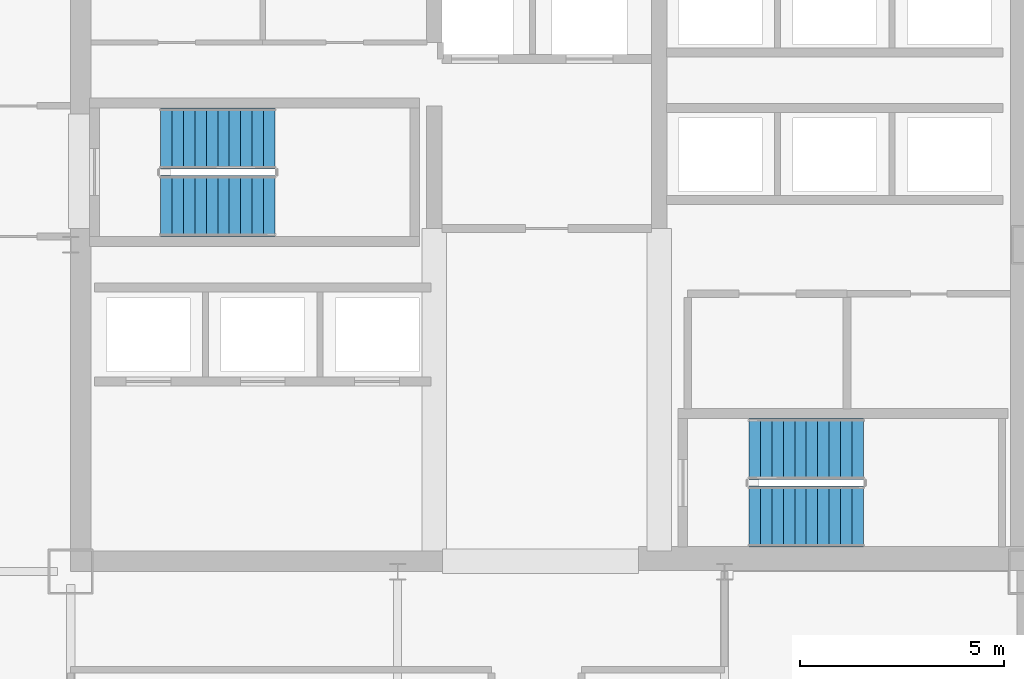
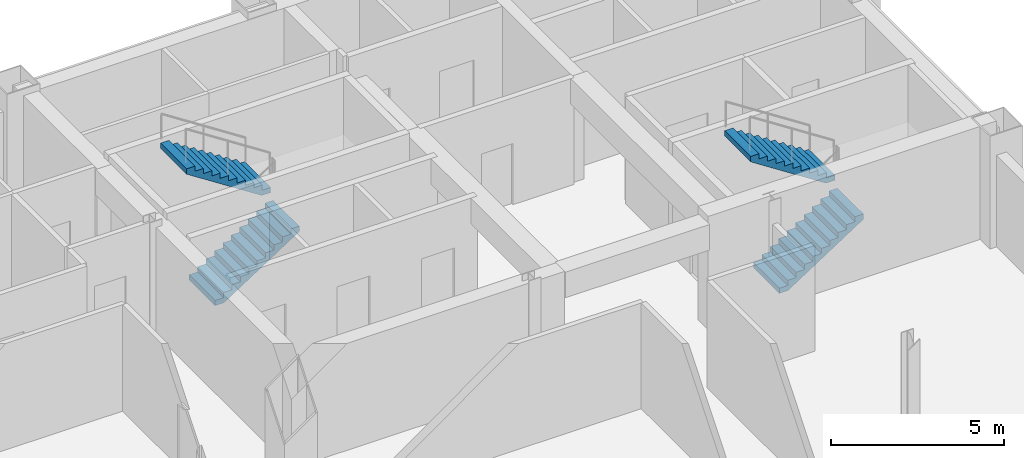
# One storey, part 8 of 10: 4 stair flights, 2 elements without a shape of their own.
"""IFC4 building model written with IfcOpenShell, lengths in metres."""

from ifc_helpers import new_model, si_unit, direction, frame, origin, place, context, subcontext, project, spatial, polyline, outline, extrude, material, type_object, element, aggregate, save


model = new_model("IFC4")

# Units and contexts
model_context = context("Model", 3, precision=1e-05, world=origin(), true_north=direction((0.0, 1.0)))
body_context = subcontext(model_context, "Body", "Model", "MODEL_VIEW")
ifc_project = project(units=[si_unit("LENGTHUNIT", "METRE"), si_unit("AREAUNIT", "SQUARE_METRE"), si_unit("VOLUMEUNIT", "CUBIC_METRE"), si_unit("PLANEANGLEUNIT", "RADIAN"), si_unit("MASSUNIT", "GRAM", prefix="KILO")], contexts=[model_context])

# Site, building, storey
site_placement = place(None, origin())
site = spatial("IfcSite", under=ifc_project, at=site_placement, CompositionType="ELEMENT")
building_placement = place(site_placement, origin())
building = spatial("IfcBuilding", under=site, at=building_placement, Name="Qianrong Seaharbour Tower", CompositionType="ELEMENT")
storey_placement = place(building_placement, frame((0.0, 0.0, 135.0)))
storey = spatial("IfcBuildingStorey", under=building, at=storey_placement, Name="L32", CompositionType="ELEMENT", Elevation=135.0)

# Stair, stair flights
ifc_material = material(Name="Concrete C50/60", Category="concrete")
stair_type = type_object("IfcStairType", Name="STAIR-DOGLEG-1500-R22", PredefinedType="HALF_TURN_STAIR", material=ifc_material)
stair_1_placement = place(storey_placement, origin())
stair_1 = element("IfcStair", 1, at=stair_1_placement, inside=storey, type_object=stair_type, Name="L32 Protected Escape Stair ST-1", PredefinedType="HALF_TURN_STAIR")
stair_flight_type = type_object("IfcStairFlightType", Name="FLIGHT-STR-1500-R22", PredefinedType="STRAIGHT", material=ifc_material)
stair_flight_1_placement = place(storey_placement, frame((42.699951171875, 44.949951171875, 0.0), z_axis=(0.0, 0.0, 1.0), x_axis=(1.0, 0.0, 0.0)))
stair_flight_1 = element("IfcStairFlight", 2, at=stair_flight_1_placement, type_object=stair_flight_type, Name="ST-1 flight 1", NumberOfRisers=11, NumberOfTreads=10, PredefinedType="STRAIGHT", RiserHeight=0.181818182, TreadLength=0.28, context=body_context, shape_type="SweptSolid", body=[
    extrude(outline(polyline([(0.0, 0.0), (0.0, 0.181884765625), (0.280029296875, 0.181884765625), (0.280029296875, 0.363525390625), (0.56005859375, 0.363525390625), (0.56005859375, 0.54541015625), (0.840087890625, 0.54541015625), (0.840087890625, 0.727294921875), (1.1201171875, 0.727294921875), (1.1201171875, 0.9091796875), (1.39990234375, 0.9091796875), (1.39990234375, 1.0908203125), (1.679931640625, 1.0908203125), (1.679931640625, 1.272705078125), (1.9599609375, 1.272705078125), (1.9599609375, 1.45458984375), (2.239990234375, 1.45458984375), (2.239990234375, 1.636474609375), (2.52001953125, 1.636474609375), (2.52001953125, 1.818115234375), (2.800048828125, 1.818115234375), (2.800048828125, 2.0), (2.800048828125, 1.62744140625), (0.293701171875, 0.0), (0.0, 0.0)])), frame((0.0, 0.75, 0.0), z_axis=(0.0, -1.0, 0.0), x_axis=(1.0, 0.0, 0.0)), (0.0, 0.0, 1.0), 1.5),
])
stair_flight_2_placement = place(storey_placement, frame((45.5, 46.60009765625, 2.0), z_axis=(0.0, 0.0, 1.0), x_axis=(-1.0, 0.0, 0.0)))
stair_flight_2 = element("IfcStairFlight", 3, at=stair_flight_2_placement, type_object=stair_flight_type, Name="ST-1 flight 2", NumberOfRisers=11, NumberOfTreads=10, PredefinedType="STRAIGHT", RiserHeight=0.181818182, TreadLength=0.28, context=body_context, shape_type="SweptSolid", body=[
    extrude(outline(polyline([(0.0, 0.0), (0.0, 0.181884765625), (0.280029296875, 0.181884765625), (0.280029296875, 0.363525390625), (0.56005859375, 0.363525390625), (0.56005859375, 0.54541015625), (0.840087890625, 0.54541015625), (0.840087890625, 0.727294921875), (1.1201171875, 0.727294921875), (1.1201171875, 0.9091796875), (1.39990234375, 0.9091796875), (1.39990234375, 1.0908203125), (1.679931640625, 1.0908203125), (1.679931640625, 1.272705078125), (1.9599609375, 1.272705078125), (1.9599609375, 1.45458984375), (2.239990234375, 1.45458984375), (2.239990234375, 1.636474609375), (2.52001953125, 1.636474609375), (2.52001953125, 1.818115234375), (2.800048828125, 1.818115234375), (2.800048828125, 2.0), (2.800048828125, 1.62744140625), (0.293701171875, 0.0), (0.0, 0.0)])), frame((0.0, 0.75, 0.0), z_axis=(0.0, -1.0, 0.0), x_axis=(1.0, 0.0, 0.0)), (0.0, 0.0, 1.0), 1.5),
])
aggregate(stair_1, [stair_flight_1, stair_flight_2])

stair_2_placement = place(storey_placement, origin())
stair_2 = element("IfcStair", 4, at=stair_2_placement, inside=storey, type_object=stair_type, Name="L32 Protected Escape Stair ST-2", PredefinedType="HALF_TURN_STAIR")
stair_flight_3_placement = place(storey_placement, frame((57.10009765625, 37.35009765625, 0.0), z_axis=(0.0, 0.0, 1.0), x_axis=(1.0, 0.0, 0.0)))
stair_flight_3 = element("IfcStairFlight", 5, at=stair_flight_3_placement, type_object=stair_flight_type, Name="ST-2 flight 1", NumberOfRisers=11, NumberOfTreads=10, PredefinedType="STRAIGHT", RiserHeight=0.181818182, TreadLength=0.28, context=body_context, shape_type="SweptSolid", body=[
    extrude(outline(polyline([(0.0, 0.0), (0.0, 0.181884765625), (0.280029296875, 0.181884765625), (0.280029296875, 0.363525390625), (0.56005859375, 0.363525390625), (0.56005859375, 0.54541015625), (0.840087890625, 0.54541015625), (0.840087890625, 0.727294921875), (1.1201171875, 0.727294921875), (1.1201171875, 0.9091796875), (1.39990234375, 0.9091796875), (1.39990234375, 1.0908203125), (1.679931640625, 1.0908203125), (1.679931640625, 1.272705078125), (1.9599609375, 1.272705078125), (1.9599609375, 1.45458984375), (2.239990234375, 1.45458984375), (2.239990234375, 1.636474609375), (2.52001953125, 1.636474609375), (2.52001953125, 1.818115234375), (2.800048828125, 1.818115234375), (2.800048828125, 2.0), (2.800048828125, 1.62744140625), (0.293701171875, 0.0), (0.0, 0.0)])), frame((0.0, 0.75, 0.0), z_axis=(0.0, -1.0, 0.0), x_axis=(1.0, 0.0, 0.0)), (0.0, 0.0, 1.0), 1.5),
])
stair_flight_4_placement = place(storey_placement, frame((59.89990234375, 39.0, 2.0), z_axis=(0.0, 0.0, 1.0), x_axis=(-1.0, 0.0, 0.0)))
stair_flight_4 = element("IfcStairFlight", 6, at=stair_flight_4_placement, type_object=stair_flight_type, Name="ST-2 flight 2", NumberOfRisers=11, NumberOfTreads=10, PredefinedType="STRAIGHT", RiserHeight=0.181818182, TreadLength=0.28, context=body_context, shape_type="SweptSolid", body=[
    extrude(outline(polyline([(0.0, 0.0), (0.0, 0.181884765625), (0.280029296875, 0.181884765625), (0.280029296875, 0.363525390625), (0.56005859375, 0.363525390625), (0.56005859375, 0.54541015625), (0.840087890625, 0.54541015625), (0.840087890625, 0.727294921875), (1.1201171875, 0.727294921875), (1.1201171875, 0.9091796875), (1.39990234375, 0.9091796875), (1.39990234375, 1.0908203125), (1.679931640625, 1.0908203125), (1.679931640625, 1.272705078125), (1.9599609375, 1.272705078125), (1.9599609375, 1.45458984375), (2.239990234375, 1.45458984375), (2.239990234375, 1.636474609375), (2.52001953125, 1.636474609375), (2.52001953125, 1.818115234375), (2.800048828125, 1.818115234375), (2.800048828125, 2.0), (2.800048828125, 1.62744140625), (0.293701171875, 0.0), (0.0, 0.0)])), frame((0.0, 0.75, 0.0), z_axis=(0.0, -1.0, 0.0), x_axis=(1.0, 0.0, 0.0)), (0.0, 0.0, 1.0), 1.5),
])
aggregate(stair_2, [stair_flight_3, stair_flight_4])

save(model, "model.ifc")
